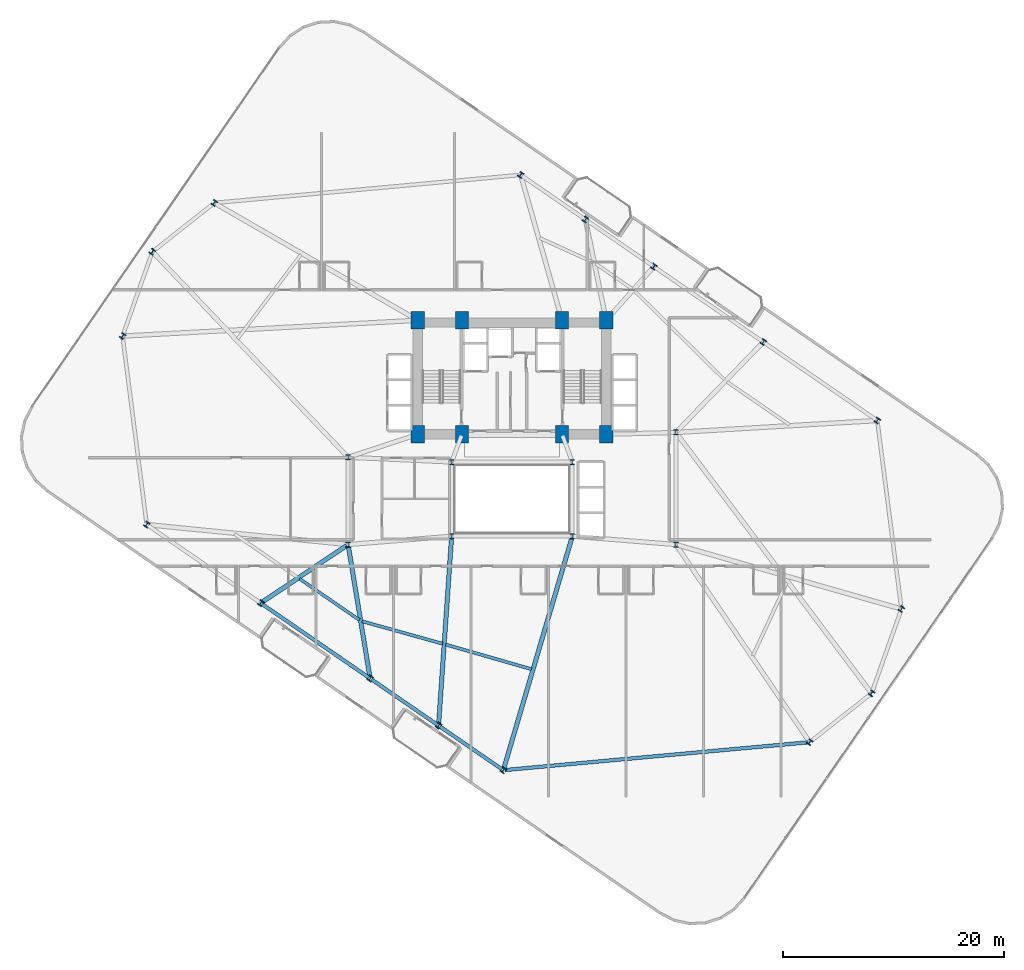
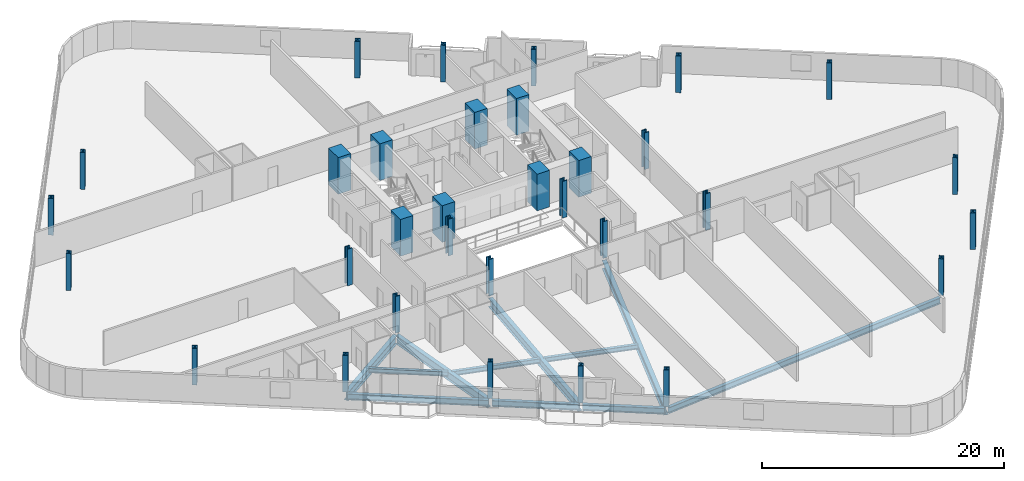
# One storey, part 1 of 25: 32 columns, 11 beams.
"""IFC4 building model written with IfcOpenShell, lengths in metres."""

from ifc_helpers import new_model, si_unit, direction, frame, origin, origin_2d, place, context, subcontext, project, spatial, rectangle, i_section, extrude, material, material_profile, profile_set, type_object, element, save


model = new_model("IFC4")

# Units and contexts
model_context = context("Model", 3, precision=1e-05, world=origin(), true_north=direction((0.0, 1.0)))
body_context = subcontext(model_context, "Body", "Model", "MODEL_VIEW")
ifc_project = project(units=[si_unit("LENGTHUNIT", "METRE"), si_unit("AREAUNIT", "SQUARE_METRE"), si_unit("VOLUMEUNIT", "CUBIC_METRE"), si_unit("PLANEANGLEUNIT", "RADIAN"), si_unit("MASSUNIT", "GRAM", prefix="KILO")], contexts=[model_context])

# Site, building, storey
site_placement = place(None, origin())
site = spatial("IfcSite", under=ifc_project, at=site_placement, CompositionType="ELEMENT")
building_placement = place(site_placement, origin())
building = spatial("IfcBuilding", under=site, at=building_placement, Name="Varnelok Gate Tower", CompositionType="ELEMENT")
storey_placement = place(building_placement, frame((0.0, 0.0, 49.199951171875)))
storey = spatial("IfcBuildingStorey", under=building, at=storey_placement, Name="L11", CompositionType="ELEMENT", Elevation=49.199951171875)

# Columns
ifc_material_1 = material(Name="Concrete C70/85", Category="concrete")
ifc_material_profile_1 = material_profile(ifc_material_1, rectangle(XDim=1.199951171875, YDim=1.60009765625, at=origin_2d()), Name="RC1600X1200")
ifc_profile_set_1 = profile_set([ifc_material_profile_1], Name="Concrete C70/85")
column_type_1 = type_object("IfcColumnType", Name="COL-RC1600X1200", PredefinedType="COLUMN", material=ifc_profile_set_1)
for number, where, z_axis, x_axis, name in (
    (1, (30.699951171875, 28.75, 0.0), (0.0, 0.0, 1.0), (1.0, 0.0, 0.0), "L11 Core Spine Column SC1"),
    (2, (34.679931640625, 28.75, 0.0), (0.0, 0.0, 1.0), (1.0, 0.0, 0.0), "L11 Core Spine Column SC2"),
    (3, (43.719970703125, 28.75, 0.0), (0.0, 0.0, 1.0), (1.0, 0.0, 0.0), "L11 Core Spine Column SC3"),
    (4, (47.699951171875, 28.75, 0.0), (0.0, 0.0, 1.0), (1.0, 0.0, 0.0), "L11 Core Spine Column SC4"),
    (5, (30.699951171875, 39.050048828125, 0.0), (0.0, 0.0, 1.0), (1.0, 0.0, 0.0), "L11 Core Spine Column SC5"),
    (6, (34.679931640625, 39.050048828125, 0.0), (0.0, 0.0, 1.0), (1.0, 0.0, 0.0), "L11 Core Spine Column SC6"),
    (7, (43.719970703125, 39.050048828125, 0.0), (0.0, 0.0, 1.0), (1.0, 0.0, 0.0), "L11 Core Spine Column SC7"),
    (8, (47.699951171875, 39.050048828125, 0.0), (0.0, 0.0, 1.0), (1.0, 0.0, 0.0), "L11 Core Spine Column SC8"),
):
    element("IfcColumn", number, at=place(storey_placement, frame(where, z_axis=z_axis, x_axis=x_axis)), inside=storey, type_object=column_type_1, Name=name, PredefinedType="COLUMN", context=body_context, shape_type="SweptSolid", body=[
        extrude(rectangle(XDim=1.199951171875, YDim=1.60009765625, at=origin_2d()), origin(), (0.0, 0.0, 1.0), 3.699951171875),
    ])
ifc_material_2 = material(Name="Structural Steel ASTM A992 Grade 50", Category="steel")
ifc_material_profile_2 = material_profile(ifc_material_2, i_section(OverallWidth=0.431884765625, OverallDepth=0.498046875, WebThickness=0.0556640625, FlangeThickness=0.0888671875, FilletRadius=0.02490234375, at=origin_2d()), Name="W14X500")
ifc_profile_set_2 = profile_set([ifc_material_profile_2], Name="Structural Steel ASTM A992 Grade 50")
column_type_2 = type_object("IfcColumnType", Name="COL-W14X500", PredefinedType="COLUMN", material=ifc_profile_set_2)
for number, where, z_axis, x_axis, name in (
    (9, (33.75, 19.550048828125, 0.0), (0.0, 0.0, 1.0), (1.0, 0.0, 0.0), "L11 Atrium Spine Column AC1"),
    (10, (44.64990234375, 19.550048828125, 0.0), (0.0, 0.0, 1.0), (1.0, 0.0, 0.0), "L11 Atrium Spine Column AC2"),
    (11, (33.75, 26.25, 0.0), (0.0, 0.0, 1.0), (1.0, 0.0, 0.0), "L11 Atrium Spine Column AC3"),
    (12, (44.64990234375, 26.25, 0.0), (0.0, 0.0, 1.0), (1.0, 0.0, 0.0), "L11 Atrium Spine Column AC4"),
    (13, (24.39990234375, 18.800048828125, 0.0), (0.0, 0.0, 1.0), (1.0, 0.0, 0.0), "L11 Wing Spine Column WS1"),
    (14, (24.39990234375, 26.679931640625, 0.0), (0.0, 0.0, 1.0), (1.0, 0.0, 0.0), "L11 Wing Spine Column WS2"),
    (15, (54.0, 18.800048828125, 0.0), (0.0, 0.0, 1.0), (1.0, 0.0, 0.0), "L11 Wing Spine Column ES1"),
    (16, (54.0, 28.919921875, 0.0), (0.0, 0.0, 1.0), (1.0, 0.0, 0.0), "L11 Wing Spine Column ES2"),
    (17, (6.214599609375, 20.602783203125, 0.0), (0.0, 0.0, 1.0), (0.823532597628, -0.567268949127, 0.0), "L11 B1 Perimeter Column PC01"),
    (18, (16.5087890625, 13.511962890625, 0.0), (0.0, 0.0, 1.0), (0.823532597628, -0.567268949127, 0.0), "L11 B1 Perimeter Column PC02"),
    (19, (26.39111328125, 6.70458984375, 0.0), (0.0, 0.0, 1.0), (0.823532597628, -0.567268949127, 0.0), "L11 B1 Perimeter Column PC03"),
    (20, (32.567626953125, 2.4501953125, 0.0), (0.0, 0.0, 1.0), (0.823532597628, -0.567268949127, 0.0), "L11 B1 Perimeter Column PC04"),
    (21, (38.41455078125, -1.577392578125, 0.0), (0.0, 0.0, 1.0), (0.823532597628, -0.567268949127, 0.0), "L11 B1 Perimeter Column PC05"),
    (22, (66.084716796875, 0.95263671875, 0.0), (0.0, 0.0, 1.0), (0.823532597628, -0.567268949127, 0.0), "L11 B1 Perimeter Column PC06"),
    (23, (71.669921875, 5.362548828125, 0.0), (0.0, 0.0, 1.0), (0.823532597628, -0.567268949127, 0.0), "L11 B1 Perimeter Column PC07"),
    (24, (74.366943359375, 12.976318359375, 0.0), (0.0, 0.0, 1.0), (0.823532597628, -0.567268949127, 0.0), "L11 B1 Perimeter Column PC08"),
    (25, (72.185546875, 29.997314453125, 0.0), (0.0, 0.0, 1.0), (0.823532597628, -0.567268949127, 0.0), "L11 B1 Perimeter Column PC09"),
    (26, (61.891357421875, 37.088134765625, 0.0), (0.0, 0.0, 1.0), (0.823532597628, -0.567268949127, 0.0), "L11 B1 Perimeter Column PC10"),
    (27, (52.0087890625, 43.8955078125, 0.0), (0.0, 0.0, 1.0), (0.823532597628, -0.567268949127, 0.0), "L11 B1 Perimeter Column PC11"),
    (28, (45.83251953125, 48.14990234375, 0.0), (0.0, 0.0, 1.0), (0.823532597628, -0.567268949127, 0.0), "L11 B1 Perimeter Column PC12"),
    (29, (39.9853515625, 52.177490234375, 0.0), (0.0, 0.0, 1.0), (0.823532597628, -0.567268949127, 0.0), "L11 B1 Perimeter Column PC13"),
    (30, (12.315185546875, 49.6474609375, 0.0), (0.0, 0.0, 1.0), (0.823532597628, -0.567268949127, 0.0), "L11 B1 Perimeter Column PC14"),
    (31, (6.72998046875, 45.237548828125, 0.0), (0.0, 0.0, 1.0), (0.823532597628, -0.567268949127, 0.0), "L11 B1 Perimeter Column PC15"),
    (32, (4.033203125, 37.623779296875, 0.0), (0.0, 0.0, 1.0), (0.823532597628, -0.567268949127, 0.0), "L11 B1 Perimeter Column PC16"),
):
    element("IfcColumn", number, at=place(storey_placement, frame(where, z_axis=z_axis, x_axis=x_axis)), inside=storey, type_object=column_type_2, Name=name, PredefinedType="COLUMN", context=body_context, shape_type="SweptSolid", body=[
        extrude(i_section(OverallWidth=0.431884765625, OverallDepth=0.498046875, WebThickness=0.0556640625, FlangeThickness=0.0888671875, FilletRadius=0.02490234375, at=origin_2d()), origin(), (0.0, 0.0, 1.0), 3.699951171875),
    ])

# Beams
ifc_material_profile_3 = material_profile(ifc_material_2, i_section(OverallWidth=0.280029296875, OverallDepth=0.462890625, WebThickness=0.0107421875, FlangeThickness=0.017333984375, FilletRadius=0.014892578125, at=origin_2d()), Name="W18X76")
ifc_profile_set_3 = profile_set([ifc_material_profile_3], Name="Structural Steel ASTM A992 Grade 50")
beam_type_1 = type_object("IfcBeamType", Name="BM-JST-W18X76", PredefinedType="JOIST", material=ifc_profile_set_3)
beam_1_placement = place(storey_placement, frame((20.017333984375, 15.706298828125, -0.4814453125), z_axis=(0.823537737391, -0.567261487405, 0.0), x_axis=(0.567261487405, 0.823537737391, 0.0)))
element("IfcBeam", 33, at=beam_1_placement, inside=storey, type_object=beam_type_1, Name="L11 Sector Floor Joist 2", PredefinedType="JOIST", context=body_context, shape_type="SweptSolid", body=[
    extrude(i_section(OverallWidth=0.280029296875, OverallDepth=0.462890625, WebThickness=0.0107421875, FlangeThickness=0.017333984375, FilletRadius=0.014892578125, at=origin_2d()), origin(), (0.0, 0.0, 1.0), 6.559814453125),
])
beam_2_placement = place(storey_placement, frame((25.669921875, 11.867919921875, -0.4814453125), z_axis=(0.963267736432, -0.268542860544, 0.0), x_axis=(0.268542860544, 0.963267736432, 0.0)))
element("IfcBeam", 34, at=beam_2_placement, inside=storey, type_object=beam_type_1, Name="L11 Sector Floor Joist 3", PredefinedType="JOIST", context=body_context, shape_type="SweptSolid", body=[
    extrude(i_section(OverallWidth=0.280029296875, OverallDepth=0.462890625, WebThickness=0.0107421875, FlangeThickness=0.017333984375, FilletRadius=0.014892578125, at=origin_2d()), origin(), (0.0, 0.0, 1.0), 7.548583984375),
])
beam_3_placement = place(storey_placement, frame((33.210693359375, 9.764404296875, -0.4814453125), z_axis=(0.961390127842, -0.275189066078, 0.0), x_axis=(0.275189066078, 0.961390127842, 0.0)))
element("IfcBeam", 35, at=beam_3_placement, inside=storey, type_object=beam_type_1, Name="L11 Sector Floor Joist 4", PredefinedType="JOIST", context=body_context, shape_type="SweptSolid", body=[
    extrude(i_section(OverallWidth=0.280029296875, OverallDepth=0.462890625, WebThickness=0.0107421875, FlangeThickness=0.017333984375, FilletRadius=0.014892578125, at=origin_2d()), origin(), (0.0, 0.0, 1.0), 8.061767578125),
])
ifc_material_profile_4 = material_profile(ifc_material_2, i_section(OverallWidth=0.39892578125, OverallDepth=0.85498046875, WebThickness=0.018310546875, FlangeThickness=0.029296875, FilletRadius=0.02392578125, at=origin_2d()), Name="W33X201")
ifc_profile_set_4 = profile_set([ifc_material_profile_4], Name="Structural Steel ASTM A992 Grade 50")
beam_type_2 = type_object("IfcBeamType", Name="BM-PRI-W33X201", PredefinedType="BEAM", material=ifc_profile_set_4)
beam_4_placement = place(storey_placement, frame((24.275390625, 18.716552734375, -0.677490234375), z_axis=(-0.830725059098, -0.556682922485, 0.0), x_axis=(0.556682922485, -0.830725059098, 0.0)))
element("IfcBeam", 36, at=beam_4_placement, inside=storey, type_object=beam_type_2, Name="L11 Radial Floor Girder 2", PredefinedType="BEAM", context=body_context, shape_type="SweptSolid", body=[
    extrude(i_section(OverallWidth=0.39892578125, OverallDepth=0.85498046875, WebThickness=0.018310546875, FlangeThickness=0.029296875, FilletRadius=0.02392578125, at=origin_2d()), origin(), (0.0, 0.0, 1.0), 9.19921875),
])
beam_5_placement = place(storey_placement, frame((24.42431640625, 18.652099609375, -0.677490234375), z_axis=(0.162428802214, -0.986720266444, 0.0), x_axis=(0.986720266444, 0.162428802214, 0.0)))
element("IfcBeam", 37, at=beam_5_placement, inside=storey, type_object=beam_type_2, Name="L11 Radial Floor Girder 3", PredefinedType="BEAM", context=body_context, shape_type="SweptSolid", body=[
    extrude(i_section(OverallWidth=0.39892578125, OverallDepth=0.85498046875, WebThickness=0.018310546875, FlangeThickness=0.029296875, FilletRadius=0.02392578125, at=origin_2d()), origin(), (0.0, 0.0, 1.0), 11.958251953125),
])
beam_6_placement = place(storey_placement, frame((33.73974609375, 19.400390625, -0.677490234375), z_axis=(-0.068990652765, -0.997617306301, 0.0), x_axis=(0.997617306301, -0.068990652765, 0.0)))
element("IfcBeam", 38, at=beam_6_placement, inside=storey, type_object=beam_type_2, Name="L11 Radial Floor Girder 4", PredefinedType="BEAM", context=body_context, shape_type="SweptSolid", body=[
    extrude(i_section(OverallWidth=0.39892578125, OverallDepth=0.85498046875, WebThickness=0.018310546875, FlangeThickness=0.029296875, FilletRadius=0.02392578125, at=origin_2d()), origin(), (0.0, 0.0, 1.0), 16.8408203125),
])
beam_7_placement = place(storey_placement, frame((44.607421875, 19.406005859375, -0.677490234375), z_axis=(-0.283059829362, -0.959102253673, 0.0), x_axis=(0.959102253673, -0.283059829362, 0.0)))
element("IfcBeam", 39, at=beam_7_placement, inside=storey, type_object=beam_type_2, Name="L11 Radial Floor Girder 5", PredefinedType="BEAM", context=body_context, shape_type="SweptSolid", body=[
    extrude(i_section(OverallWidth=0.39892578125, OverallDepth=0.85498046875, WebThickness=0.018310546875, FlangeThickness=0.029296875, FilletRadius=0.02392578125, at=origin_2d()), origin(), (0.0, 0.0, 1.0), 21.728271484375),
])
ifc_material_profile_5 = material_profile(ifc_material_2, i_section(OverallWidth=0.323974609375, OverallDepth=0.611083984375, WebThickness=0.0126953125, FlangeThickness=0.01904296875, FilletRadius=0.01806640625, at=origin_2d()), Name="W24X104")
ifc_profile_set_5 = profile_set([ifc_material_profile_5], Name="Structural Steel ASTM A992 Grade 50")
beam_type_3 = type_object("IfcBeamType", Name="BM-SPN-W24X104", PredefinedType="SPANDREL", material=ifc_profile_set_5)
beam_8_placement = place(storey_placement, frame((16.632080078125, 13.4267578125, -0.555419921875), z_axis=(0.823540527698, -0.567257436478, 0.0), x_axis=(0.567257436478, 0.823540527698, 0.0)))
element("IfcBeam", 40, at=beam_8_placement, inside=storey, type_object=beam_type_3, Name="L11 Perimeter Spandrel Beam 2", PredefinedType="SPANDREL", context=body_context, shape_type="SweptSolid", body=[
    extrude(i_section(OverallWidth=0.323974609375, OverallDepth=0.611083984375, WebThickness=0.0126953125, FlangeThickness=0.01904296875, FilletRadius=0.01806640625, at=origin_2d()), origin(), (0.0, 0.0, 1.0), 11.7001953125),
])
beam_9_placement = place(storey_placement, frame((26.5146484375, 6.619384765625, -0.555419921875), z_axis=(0.823539986654, -0.56725822196, 0.0), x_axis=(0.56725822196, 0.823539986654, 0.0)))
element("IfcBeam", 41, at=beam_9_placement, inside=storey, type_object=beam_type_3, Name="L11 Perimeter Spandrel Beam 3", PredefinedType="SPANDREL", context=body_context, shape_type="SweptSolid", body=[
    extrude(i_section(OverallWidth=0.323974609375, OverallDepth=0.611083984375, WebThickness=0.0126953125, FlangeThickness=0.01904296875, FilletRadius=0.01806640625, at=origin_2d()), origin(), (0.0, 0.0, 1.0), 7.199951171875),
])
beam_10_placement = place(storey_placement, frame((32.691162109375, 2.364990234375, -0.555419921875), z_axis=(0.823525119645, -0.567279805135, 0.0), x_axis=(0.567279805135, 0.823525119645, 0.0)))
element("IfcBeam", 42, at=beam_10_placement, inside=storey, type_object=beam_type_3, Name="L11 Perimeter Spandrel Beam 4", PredefinedType="SPANDREL", context=body_context, shape_type="SweptSolid", body=[
    extrude(i_section(OverallWidth=0.323974609375, OverallDepth=0.611083984375, WebThickness=0.0126953125, FlangeThickness=0.01904296875, FilletRadius=0.01806640625, at=origin_2d()), origin(), (0.0, 0.0, 1.0), 6.7998046875),
])
beam_11_placement = place(storey_placement, frame((38.56396484375, -1.563720703125, -0.555419921875), z_axis=(0.995845891963, 0.091054705864, 0.0), x_axis=(-0.091054705864, 0.995845891963, 0.0)))
element("IfcBeam", 43, at=beam_11_placement, inside=storey, type_object=beam_type_3, Name="L11 Perimeter Spandrel Beam 5", PredefinedType="SPANDREL", context=body_context, shape_type="SweptSolid", body=[
    extrude(i_section(OverallWidth=0.323974609375, OverallDepth=0.611083984375, WebThickness=0.0126953125, FlangeThickness=0.01904296875, FilletRadius=0.01806640625, at=origin_2d()), origin(), (0.0, 0.0, 1.0), 27.485595703125),
])

save(model, "model.ifc")
